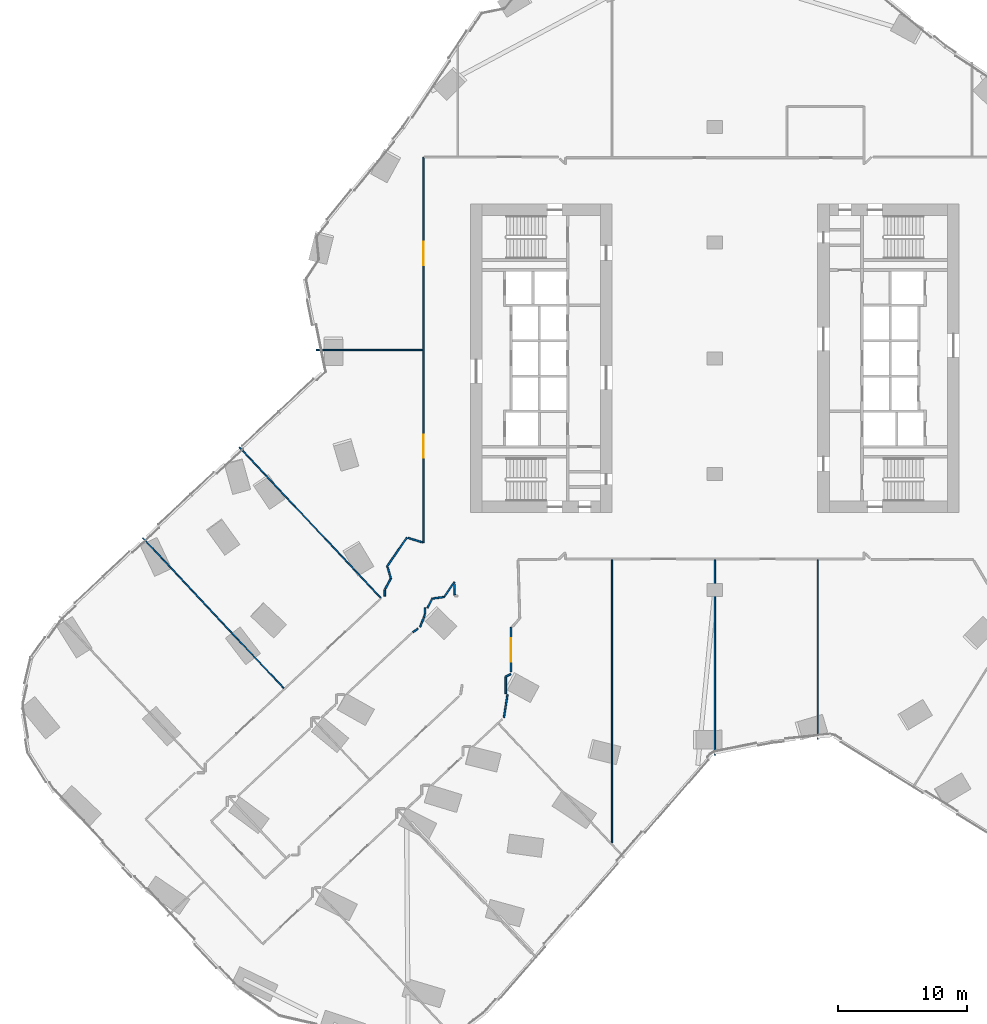
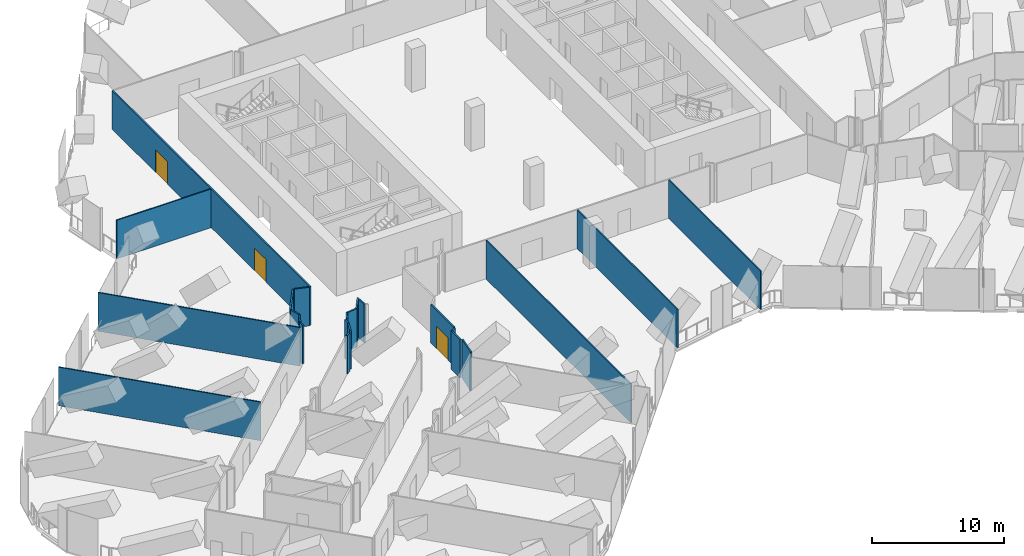
# One storey, part 22 of 31: 23 walls, 3 doors, 3 openings.
"""IFC4 building model written with IfcOpenShell, lengths in metres."""

from ifc_helpers import new_model, si_unit, direction, frame, frame_2d, origin, place, context, subcontext, project, spatial, rectangle, extrude, material, layer, layer_set, type_object, element, fill, save


model = new_model("IFC4")

# Units and contexts
model_context = context("Model", 3, precision=1e-05, world=origin(), true_north=direction((0.0, 1.0)))
body_context = subcontext(model_context, "Body", "Model", "MODEL_VIEW")
ifc_project = project(units=[si_unit("LENGTHUNIT", "METRE"), si_unit("AREAUNIT", "SQUARE_METRE"), si_unit("VOLUMEUNIT", "CUBIC_METRE"), si_unit("PLANEANGLEUNIT", "RADIAN"), si_unit("MASSUNIT", "GRAM", prefix="KILO")], contexts=[model_context])

# Site, building, storey
site_placement = place(None, origin())
site = spatial("IfcSite", under=ifc_project, at=site_placement, CompositionType="ELEMENT")
building_placement = place(site_placement, origin())
building = spatial("IfcBuilding", under=site, at=building_placement, Name="Orlundy Tower", CompositionType="ELEMENT")
storey_placement = place(building_placement, frame((0.0, 0.0, 54.800048828125)))
storey = spatial("IfcBuildingStorey", under=building, at=storey_placement, Name="L12", CompositionType="ELEMENT", Elevation=54.800048828125)

# Walls
ifc_material_1 = material(Name="Gypsum board partition")
ifc_layer_1 = layer(ifc_material_1, 0.10009765625)
ifc_layer_set_1 = layer_set([ifc_layer_1], Name="Floor partition 100")
wall_type_1 = type_object("IfcWallType", Name="Floor partition 100", PredefinedType="PARTITIONING", material=ifc_layer_set_1)
wall_1_placement = place(storey_placement, frame((-44.487060546875, -13.964111328125, 0.0), z_axis=(0.0, 0.0, 1.0), x_axis=(0.684144686813, -0.729346315207, 0.0)))
element("IfcWall", 1, at=wall_1_placement, inside=storey, type_object=wall_type_1, Name="wall-int-L12-019", PredefinedType="PARTITIONING", context=body_context, shape_type="SweptSolid", body=[
    extrude(rectangle(XDim=16.035888671875, YDim=0.10009765625, at=frame_2d((8.01806640625, 0.0))), origin(), (0.0, 0.0, 1.0), 3.579833984375),
])
wall_2_placement = place(storey_placement, frame((-36.968994140625, -6.912109375, 0.0), z_axis=(0.0, 0.0, 1.0), x_axis=(0.684114300723, -0.729374816913, 0.0)))
element("IfcWall", 2, at=wall_2_placement, inside=storey, type_object=wall_type_1, Name="wall-int-L12-022", PredefinedType="PARTITIONING", context=body_context, shape_type="SweptSolid", body=[
    extrude(rectangle(XDim=16.03662109375, YDim=0.10009765625, at=frame_2d((8.018310546875, 0.0))), origin(), (0.0, 0.0, 1.0), 3.579833984375),
])
wall_3_placement = place(storey_placement, frame((-30.98291015625, 0.657958984375, 0.0), z_axis=(0.0, 0.0, 1.0), x_axis=(1.0, 0.0, 0.0)))
element("IfcWall", 3, at=wall_3_placement, inside=storey, type_object=wall_type_1, Name="wall-int-L12-075", PredefinedType="PARTITIONING", context=body_context, shape_type="SweptSolid", body=[
    extrude(rectangle(XDim=8.27099609375, YDim=0.10009765625, at=frame_2d((4.135498046875, 0.0))), origin(), (0.0, 0.0, 1.0), 3.579833984375),
])
wall_4_placement = place(storey_placement, frame((8.0, -29.60498046875, 0.0), z_axis=(0.0, 0.0, 1.0), x_axis=(0.0, 1.0, 0.0)))
element("IfcWall", 4, at=wall_4_placement, inside=storey, type_object=wall_type_1, Name="wall-int-L12-149", PredefinedType="PARTITIONING", context=body_context, shape_type="SweptSolid", body=[
    extrude(rectangle(XDim=13.94287109375, YDim=0.10009765625, at=frame_2d((6.971435546875, 0.0))), origin(), (0.0, 0.0, 1.0), 3.579833984375),
])
wall_5_placement = place(storey_placement, frame((0.0, -30.85107421875, 0.0), z_axis=(0.0, 0.0, 1.0), x_axis=(0.0, 1.0, 0.0)))
element("IfcWall", 5, at=wall_5_placement, inside=storey, type_object=wall_type_1, Name="wall-int-L12-151", PredefinedType="PARTITIONING", context=body_context, shape_type="SweptSolid", body=[
    extrude(rectangle(XDim=15.18896484375, YDim=0.10009765625, at=frame_2d((7.594482421875, 0.0))), origin(), (0.0, 0.0, 1.0), 3.579833984375),
])
wall_6_placement = place(storey_placement, frame((-8.0, -37.672119140625, 0.0), z_axis=(0.0, 0.0, 1.0), x_axis=(0.0, 1.0, 0.0)))
element("IfcWall", 6, at=wall_6_placement, inside=storey, type_object=wall_type_1, Name="wall-int-L12-152", PredefinedType="PARTITIONING", context=body_context, shape_type="SweptSolid", body=[
    extrude(rectangle(XDim=22.010009765625, YDim=0.10009765625, at=frame_2d((11.0048828125, 0.0))), origin(), (0.0, 0.0, 1.0), 3.579833984375),
])
ifc_material_2 = material(Name="Gypsum board partition, double layer")
ifc_layer_2 = layer(ifc_material_2, 0.125)
ifc_layer_set_2 = layer_set([ifc_layer_2], Name="Floor partition 125")
wall_type_2 = type_object("IfcWallType", Name="Floor partition 125", PredefinedType="PARTITIONING", material=ifc_layer_set_2)
wall_7_placement = place(storey_placement, frame((-20.2509765625, -17.5830078125, 0.0), z_axis=(0.0, 0.0, 1.0), x_axis=(0.02780812319, -0.999613279366, 0.0)))
element("IfcWall", 7, at=wall_7_placement, inside=storey, type_object=wall_type_2, Name="wall-int-L12-002", PredefinedType="PARTITIONING", context=body_context, shape_type="SweptSolid", body=[
    extrude(rectangle(XDim=0.8251953125, YDim=0.125, at=frame_2d((0.41259765625, 0.0))), origin(), (0.0, 0.0, 1.0), 3.579833984375),
])
wall_8_placement = place(storey_placement, frame((-25.450927734375, -16.239990234375, 0.0), z_axis=(0.0, 0.0, 1.0), x_axis=(0.282063930775, -0.959395611286, 0.0)))
element("IfcWall", 8, at=wall_8_placement, inside=storey, type_object=wall_type_2, Name="wall-int-L12-026", PredefinedType="PARTITIONING", context=body_context, shape_type="SweptSolid", body=[
    extrude(rectangle(XDim=0.903564453125, YDim=0.125, at=frame_2d((0.45166015625, 0.0))), origin(), (0.0, 0.0, 1.0), 3.579833984375),
])
wall_9_placement = place(storey_placement, frame((-21.89990234375, -18.6669921875, 0.0), z_axis=(0.0, 0.0, 1.0), x_axis=(0.991100480157, 0.133115882725, 0.0)))
element("IfcWall", 9, at=wall_9_placement, inside=storey, type_object=wall_type_2, Name="wall-int-L12-027", PredefinedType="PARTITIONING", context=body_context, shape_type="SweptSolid", body=[
    extrude(rectangle(XDim=0.8564453125, YDim=0.125, at=frame_2d((0.42822265625, 0.0))), origin(), (0.0, 0.0, 1.0), 3.579833984375),
])
wall_10_placement = place(storey_placement, frame((-23.860107421875, -13.958984375, 0.0), z_axis=(0.0, 0.0, 1.0), x_axis=(0.955232666744, -0.295855627603, 0.0)))
element("IfcWall", 10, at=wall_10_placement, inside=storey, type_object=wall_type_2, Name="wall-int-L12-042", PredefinedType="PARTITIONING", context=body_context, shape_type="SweptSolid", body=[
    extrude(rectangle(XDim=1.172607421875, YDim=0.125, at=frame_2d((0.58642578125, 0.0))), origin(), (0.0, 0.0, 1.0), 3.579833984375),
])
wall_11_placement = place(storey_placement, frame((-16.259033203125, -24.739013671875, 0.0), z_axis=(0.0, 0.0, 1.0), x_axis=(0.894541480177, 0.446984944089, 0.0)))
element("IfcWall", 11, at=wall_11_placement, inside=storey, type_object=wall_type_2, Name="wall-int-L12-059", PredefinedType="PARTITIONING", context=body_context, shape_type="SweptSolid", body=[
    extrude(rectangle(XDim=0.427001953125, YDim=0.125, at=frame_2d((0.21337890625, 0.0))), origin(), (0.0, 0.0, 1.0), 3.579833984375),
])
wall_12_placement = place(storey_placement, frame((-23.48095703125, -21.29296875, 0.0), z_axis=(0.0, 0.0, 1.0), x_axis=(0.813494420515, 0.581572719263, 0.0)))
element("IfcWall", 12, at=wall_12_placement, inside=storey, type_object=wall_type_2, Name="wall-int-L12-089", PredefinedType="PARTITIONING", context=body_context, shape_type="SweptSolid", body=[
    extrude(rectangle(XDim=0.483154296875, YDim=0.125, at=frame_2d((0.24169921875, 0.0))), origin(), (0.0, 0.0, 1.0), 3.579833984375),
])
wall_13_placement = place(storey_placement, frame((-21.952880859375, -18.632080078125, 0.0), z_axis=(0.0, 0.0, 1.0), x_axis=(-0.460802463587, -0.887502726504, 0.0)))
element("IfcWall", 13, at=wall_13_placement, inside=storey, type_object=wall_type_2, Name="wall-int-L12-116", PredefinedType="PARTITIONING", context=body_context, shape_type="SweptSolid", body=[
    extrude(rectangle(XDim=0.8662109375, YDim=0.125, at=frame_2d((0.43310546875, 0.0))), origin(), (0.0, 0.0, 1.0), 3.579833984375),
])
wall_14_placement = place(storey_placement, frame((-25.196044921875, -17.10693359375, 0.0), z_axis=(0.0, 0.0, 1.0), x_axis=(-0.470668857684, -0.882309937837, 0.0)))
element("IfcWall", 14, at=wall_14_placement, inside=storey, type_object=wall_type_2, Name="wall-int-L12-117", PredefinedType="PARTITIONING", context=body_context, shape_type="SweptSolid", body=[
    extrude(rectangle(XDim=0.943115234375, YDim=0.125, at=frame_2d((0.4716796875, 0.0))), origin(), (0.0, 0.0, 1.0), 3.579833984375),
])
wall_15_placement = place(storey_placement, frame((-21.051025390625, -18.552978515625, 0.0), z_axis=(0.0, 0.0, 1.0), x_axis=(0.564192476138, 0.82564329457, 0.0)))
element("IfcWall", 15, at=wall_15_placement, inside=storey, type_object=wall_type_2, Name="wall-int-L12-118", PredefinedType="PARTITIONING", context=body_context, shape_type="SweptSolid", body=[
    extrude(rectangle(XDim=1.4072265625, YDim=0.125, at=frame_2d((0.70361328125, 0.0))), origin(), (0.0, 0.0, 1.0), 3.579833984375),
])
wall_16_placement = place(storey_placement, frame((-25.5029296875, -16.2041015625, 0.0), z_axis=(0.0, 0.0, 1.0), x_axis=(0.564098814863, 0.825707288978, 0.0)))
element("IfcWall", 16, at=wall_16_placement, inside=storey, type_object=wall_type_2, Name="wall-int-L12-119", PredefinedType="PARTITIONING", context=body_context, shape_type="SweptSolid", body=[
    extrude(rectangle(XDim=2.7529296875, YDim=0.125, at=frame_2d((1.37646484375, 0.0))), origin(), (0.0, 0.0, 1.0), 3.579833984375),
])
wall_17_placement = place(storey_placement, frame((-22.919921875, -20.89111328125, 0.0), z_axis=(0.0, 0.0, 1.0), x_axis=(0.35597518747, 0.934495407108, 0.0)))
element("IfcWall", 17, at=wall_17_placement, inside=storey, type_object=wall_type_2, Name="wall-int-L12-132", PredefinedType="PARTITIONING", context=body_context, shape_type="SweptSolid", body=[
    extrude(rectangle(XDim=1.00830078125, YDim=0.125, at=frame_2d((0.504150390625, 0.0))), origin(), (0.0, 0.0, 1.0), 3.579833984375),
])
wall_18_placement = place(storey_placement, frame((-16.404052734375, -27.931884765625, 0.0), z_axis=(0.0, 0.0, 1.0), x_axis=(0.154065464464, 0.988060642197, 0.0)))
element("IfcWall", 18, at=wall_18_placement, inside=storey, type_object=wall_type_2, Name="wall-int-L12-134", PredefinedType="PARTITIONING", context=body_context, shape_type="SweptSolid", body=[
    extrude(rectangle(XDim=1.817626953125, YDim=0.125, at=frame_2d((0.90869140625, 0.0))), origin(), (0.0, 0.0, 1.0), 3.579833984375),
])

# Wall, opening, door
wall_19_placement = place(storey_placement, frame((-15.85107421875, -20.9208984375, 0.0), z_axis=(0.0, 0.0, 1.0), x_axis=(0.0, -1.0, 0.0)))
wall_19 = element("IfcWall", 19, at=wall_19_placement, inside=storey, type_object=wall_type_2, Name="wall-int-L12-154", PredefinedType="PARTITIONING", context=body_context, shape_type="SweptSolid", body=[
    extrude(rectangle(XDim=3.462158203125, YDim=0.125, at=frame_2d((1.73095703125, 0.0))), origin(), (0.0, 0.0, 1.0), 3.579833984375),
])
opening_1_placement = place(wall_19_placement, frame((0.85009765625, 0.0, 0.0)))
opening_1 = element("IfcOpeningElement", 20, at=opening_1_placement, cuts=wall_19, Name="Opening 11118", PredefinedType="OPENING", context=body_context, shape_type="SweptSolid", body=[
    extrude(rectangle(XDim=1.800048828125, YDim=2.10009765625, at=frame_2d((0.89990234375, 1.050048828125))), frame((0.0, 0.072509765625, 0.0), z_axis=(0.0, -1.0, 0.0), x_axis=(1.0, 0.0, 0.0)), (0.0, 0.0, 1.0), 0.14501953125),
])
ifc_material_3 = material(Name="Timber door leaf", Category="wood")
door_type = type_object("IfcDoorType", Name="Floor door double 1800 FD30S", OperationType="NOTDEFINED", PredefinedType="DOOR", material=ifc_material_3)
door_1_placement = place(opening_1_placement, origin())
door_1 = element("IfcDoor", 21, at=door_1_placement, inside=storey, type_object=door_type, Name="Door 11118", OperationType="DOUBLE_DOOR_SINGLE_SWING", OverallHeight=2.10009765625, OverallWidth=1.800048828125, PredefinedType="DOOR", context=body_context, shape_type="SweptSolid", body=[
    extrude(rectangle(XDim=1.800048828125, YDim=2.10009765625, at=frame_2d((0.89990234375, 1.050048828125))), frame((0.0, 0.02490234375, 0.0), z_axis=(0.0, -1.0, 0.0), x_axis=(1.0, 0.0, 0.0)), (0.0, 0.0, 1.0), 0.050048828125),
])
fill(opening_1, door_1)

# Walls
wall_20_placement = place(storey_placement, frame((-16.259033203125, -26.06103515625, 0.0), z_axis=(0.0, 0.0, 1.0), x_axis=(0.0, 1.0, 0.0)))
element("IfcWall", 22, at=wall_20_placement, inside=storey, type_object=wall_type_2, Name="wall-int-L12-155", PredefinedType="PARTITIONING", context=body_context, shape_type="SweptSolid", body=[
    extrude(rectangle(XDim=1.322021484375, YDim=0.125, at=frame_2d((0.6611328125, 0.0))), origin(), (0.0, 0.0, 1.0), 3.579833984375),
])
wall_21_placement = place(storey_placement, frame((-22.5390625, -19.89111328125, 0.0), z_axis=(0.0, 0.0, 1.0), x_axis=(0.0, 1.0, 0.0)))
element("IfcWall", 23, at=wall_21_placement, inside=storey, type_object=wall_type_2, Name="wall-int-L12-158", PredefinedType="PARTITIONING", context=body_context, shape_type="SweptSolid", body=[
    extrude(rectangle(XDim=0.489013671875, YDim=0.125, at=frame_2d((0.24462890625, 0.0))), origin(), (0.0, 0.0, 1.0), 3.579833984375),
])

# Wall, openings, doors
wall_22_placement = place(storey_placement, frame((-22.64990234375, -14.33203125, 0.0), z_axis=(0.0, 0.0, 1.0), x_axis=(0.0, 1.0, 0.0)))
wall_22 = element("IfcWall", 24, at=wall_22_placement, inside=storey, type_object=wall_type_2, Name="wall-int-L12-159", PredefinedType="PARTITIONING", context=body_context, shape_type="SweptSolid", body=[
    extrude(rectangle(XDim=29.98291015625, YDim=0.125, at=frame_2d((14.991455078125, 0.0))), origin(), (0.0, 0.0, 1.0), 3.579833984375),
])
opening_2_placement = place(wall_22_placement, frame((6.60009765625, 0.0, 0.0)))
opening_2 = element("IfcOpeningElement", 25, at=opening_2_placement, cuts=wall_22, Name="Opening 11117", PredefinedType="OPENING", context=body_context, shape_type="SweptSolid", body=[
    extrude(rectangle(XDim=1.800048828125, YDim=2.10009765625, at=frame_2d((0.89990234375, 1.050048828125))), frame((0.0, 0.072509765625, 0.0), z_axis=(0.0, -1.0, 0.0), x_axis=(1.0, 0.0, 0.0)), (0.0, 0.0, 1.0), 0.14501953125),
])
opening_3_placement = place(wall_22_placement, frame((21.590087890625, 0.0, 0.0)))
opening_3 = element("IfcOpeningElement", 26, at=opening_3_placement, cuts=wall_22, Name="Opening 11127", PredefinedType="OPENING", context=body_context, shape_type="SweptSolid", body=[
    extrude(rectangle(XDim=1.800048828125, YDim=2.10009765625, at=frame_2d((0.89990234375, 1.050048828125))), frame((0.0, 0.072509765625, 0.0), z_axis=(0.0, -1.0, 0.0), x_axis=(1.0, 0.0, 0.0)), (0.0, 0.0, 1.0), 0.14501953125),
])
door_2_placement = place(opening_2_placement, origin())
door_2 = element("IfcDoor", 27, at=door_2_placement, inside=storey, type_object=door_type, Name="Door 11117", OperationType="DOUBLE_DOOR_SINGLE_SWING", OverallHeight=2.10009765625, OverallWidth=1.800048828125, PredefinedType="DOOR", context=body_context, shape_type="SweptSolid", body=[
    extrude(rectangle(XDim=1.800048828125, YDim=2.10009765625, at=frame_2d((0.89990234375, 1.050048828125))), frame((0.0, 0.02490234375, 0.0), z_axis=(0.0, -1.0, 0.0), x_axis=(1.0, 0.0, 0.0)), (0.0, 0.0, 1.0), 0.050048828125),
])
fill(opening_2, door_2)
door_3_placement = place(opening_3_placement, origin())
door_3 = element("IfcDoor", 28, at=door_3_placement, inside=storey, type_object=door_type, Name="Door 11127", OperationType="DOUBLE_DOOR_SINGLE_SWING", OverallHeight=2.10009765625, OverallWidth=1.800048828125, PredefinedType="DOOR", context=body_context, shape_type="SweptSolid", body=[
    extrude(rectangle(XDim=1.800048828125, YDim=2.10009765625, at=frame_2d((0.89990234375, 1.050048828125))), frame((0.0, 0.02490234375, 0.0), z_axis=(0.0, -1.0, 0.0), x_axis=(1.0, 0.0, 0.0)), (0.0, 0.0, 1.0), 0.050048828125),
])
fill(opening_3, door_3)

# Wall
wall_23_placement = place(storey_placement, frame((-25.6689453125, -18.48193359375, 0.0), z_axis=(0.0, 0.0, 1.0), x_axis=(0.0, 1.0, 0.0)))
element("IfcWall", 29, at=wall_23_placement, inside=storey, type_object=wall_type_2, Name="wall-int-L12-162", PredefinedType="PARTITIONING", context=body_context, shape_type="SweptSolid", body=[
    extrude(rectangle(XDim=0.488037109375, YDim=0.125, at=frame_2d((0.244140625, 0.0))), origin(), (0.0, 0.0, 1.0), 3.579833984375),
])

save(model, "model.ifc")
